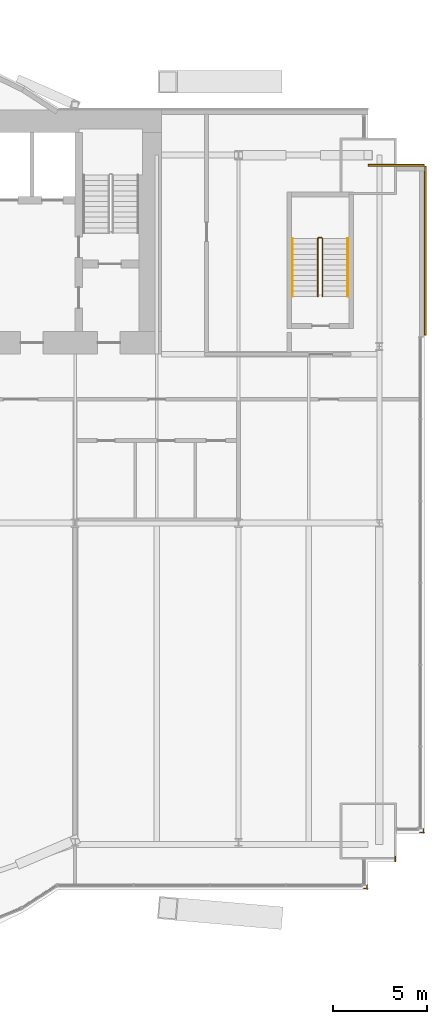
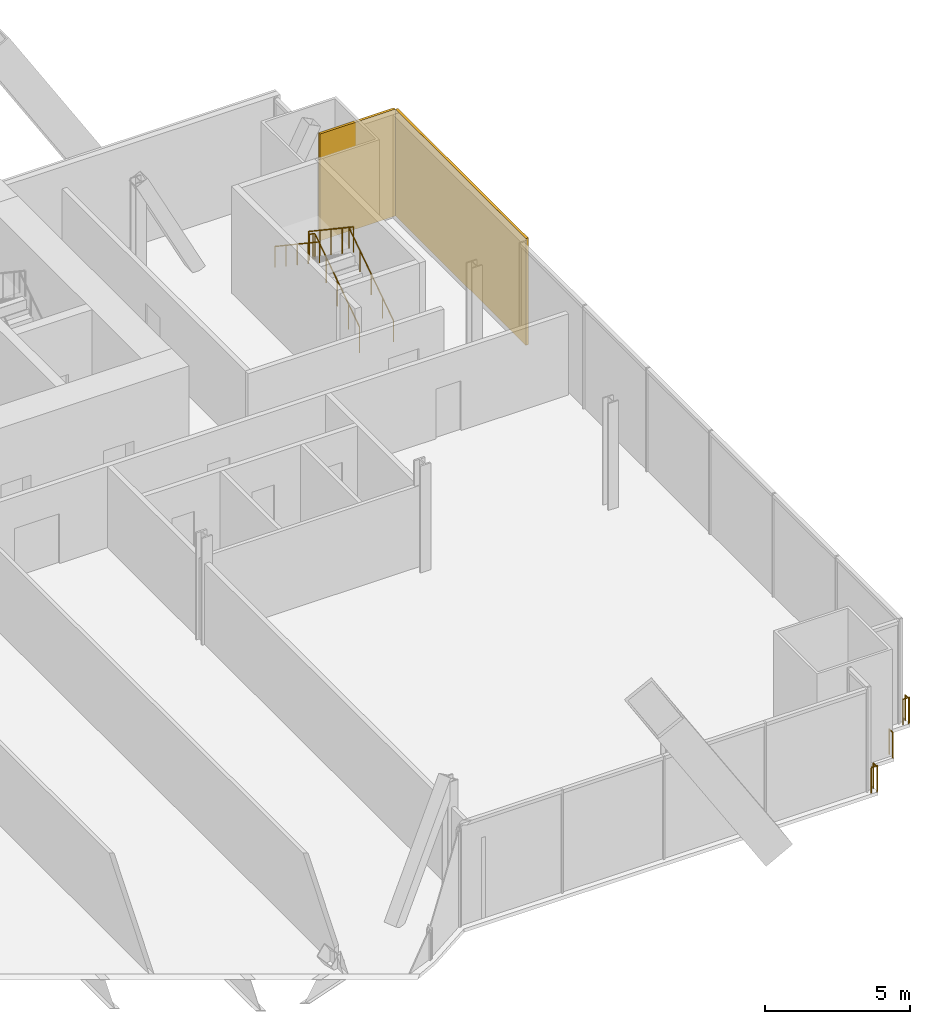
# One storey, part 22 of 23: 6 railings, 2 coverings.
"""IFC4 building model written with IfcOpenShell, lengths in metres."""

from ifc_helpers import new_model, si_unit, direction, frame, origin, origin_2d, place, context, subcontext, project, spatial, rectangle, circle, extrude, material, layer, layer_set, type_object, element, save


model = new_model("IFC4")

# Units and contexts
model_context = context("Model", 3, precision=1e-05, world=origin(), true_north=direction((0.0, 1.0)))
body_context = subcontext(model_context, "Body", "Model", "MODEL_VIEW")
ifc_project = project(units=[si_unit("LENGTHUNIT", "METRE"), si_unit("AREAUNIT", "SQUARE_METRE"), si_unit("VOLUMEUNIT", "CUBIC_METRE"), si_unit("PLANEANGLEUNIT", "RADIAN"), si_unit("MASSUNIT", "GRAM", prefix="KILO")], contexts=[model_context])

# Site, building, storey
site_placement = place(None, origin())
site = spatial("IfcSite", under=ifc_project, at=site_placement, CompositionType="ELEMENT")
building_placement = place(site_placement, origin())
building = spatial("IfcBuilding", under=site, at=building_placement, Name="Bicima Exchange Tower", CompositionType="ELEMENT")
storey_placement = place(building_placement, frame((0.0, 0.0, 44.0)))
storey = spatial("IfcBuildingStorey", under=building, at=storey_placement, Name="L08", CompositionType="ELEMENT", Elevation=44.0)

# Coverings
ifc_material_1 = material(Name="Bronze metal cladding")
ifc_layer_1 = layer(ifc_material_1, 0.004)
ifc_material_2 = material(Name="Ventilated cavity")
ifc_layer_2 = layer(ifc_material_2, 0.06)
ifc_material_3 = material(Name="Galvanised steel rail and mineral wool", Category="steel")
ifc_layer_3 = layer(ifc_material_3, 0.036)
ifc_layer_set = layer_set([ifc_layer_1, ifc_layer_2, ifc_layer_3], Name="Ventilated cavity")
covering_type = type_object("IfcCoveringType", Name="Bronze metal cladding panel 100", PredefinedType="CLADDING", material=ifc_layer_set)
covering_1_placement = place(storey_placement, frame((36.050048828125, -7.5, -0.14990234375), z_axis=(0.0, 0.0, 1.0), x_axis=(0.0, 1.0, 0.0)))
element("IfcCovering", 1, at=covering_1_placement, inside=storey, type_object=covering_type, Name="Bronze cladding L08 50.1", PredefinedType="CLADDING", context=body_context, shape_type="SweptSolid", body=[
    extrude(rectangle(XDim=9.0, YDim=0.10009765625, at=origin_2d()), origin(), (0.0, 0.0, 1.0), 4.5),
])
covering_2_placement = place(storey_placement, frame((34.5, -2.949951171875, -0.14990234375), z_axis=(0.0, 0.0, 1.0), x_axis=(-1.0, 0.0, 0.0)))
element("IfcCovering", 2, at=covering_2_placement, inside=storey, type_object=covering_type, Name="Bronze cladding L08 51.1", PredefinedType="CLADDING", context=body_context, shape_type="SweptSolid", body=[
    extrude(rectangle(XDim=3.0, YDim=0.10009765625, at=origin_2d()), origin(), (0.0, 0.0, 1.0), 4.5),
])

# Railings
ifc_material_4 = material(Name="Stainless steel and bonded safety glass", Category="steel")
railing_type_1 = type_object("IfcRailingType", Name="Edge guard 1100", PredefinedType="GUARDRAIL", material=ifc_material_4)
railing_1_placement = place(storey_placement, frame((35.949951171875, -38.263916015625, 0.0)))
element("IfcRailing", 3, at=railing_1_placement, inside=storey, type_object=railing_type_1, Name="Edge guard L08 28", PredefinedType="GUARDRAIL", context=body_context, shape_type="SweptSolid", body=[
    extrude(circle(Radius=0.02392578125, at=origin_2d()), frame((0.0, 0.0, 1.076171875), z_axis=(0.0, -1.0, 0.0), x_axis=(1.0, 0.0, 0.0)), (0.0, 0.0, 1.0), 0.248046875),
    extrude(circle(Radius=0.02392578125, at=origin_2d()), frame((0.0, -0.248046875, 1.076171875), z_axis=(0.707106781187, 0.707106781187, 0.0), x_axis=(-0.707106781187, 0.707106781187, 0.0)), (0.0, 0.0, 1.0), 0.07080078125),
    extrude(circle(Radius=0.02392578125, at=origin_2d()), frame((0.050048828125, -0.197998046875, 1.076171875), z_axis=(-1.0, 0.0, 0.0), x_axis=(0.0, -1.0, 0.0)), (0.0, 0.0, 1.0), 0.25),
    extrude(circle(Radius=0.02099609375, at=origin_2d()), origin(), (0.0, 0.0, 1.0), 1.052001953125),
    extrude(circle(Radius=0.02099609375, at=origin_2d()), frame((0.0, -0.248046875, 0.0)), (0.0, 0.0, 1.0), 1.052001953125),
    extrude(circle(Radius=0.02099609375, at=origin_2d()), frame((0.050048828125, -0.197998046875, 0.0)), (0.0, 0.0, 1.0), 1.052001953125),
    extrude(circle(Radius=0.02099609375, at=origin_2d()), frame((-0.199951171875, -0.197998046875, 0.0)), (0.0, 0.0, 1.0), 1.052001953125),
])
railing_2_placement = place(storey_placement, frame((34.449951171875, -39.761962890625, 0.0)))
element("IfcRailing", 4, at=railing_2_placement, inside=storey, type_object=railing_type_1, Name="Edge guard L08 29", PredefinedType="GUARDRAIL", context=body_context, shape_type="SweptSolid", body=[
    extrude(circle(Radius=0.02392578125, at=origin_2d()), frame((0.0, 0.0, 1.076171875), z_axis=(0.0, -1.0, 0.0), x_axis=(1.0, 0.0, 0.0)), (0.0, 0.0, 1.0), 0.25),
    extrude(circle(Radius=0.02099609375, at=origin_2d()), origin(), (0.0, 0.0, 1.0), 1.052001953125),
    extrude(circle(Radius=0.02099609375, at=origin_2d()), frame((0.0, -0.25, 0.0)), (0.0, 0.0, 1.0), 1.052001953125),
])
railing_3_placement = place(storey_placement, frame((32.949951171875, -41.261962890625, 0.0)))
element("IfcRailing", 5, at=railing_3_placement, inside=storey, type_object=railing_type_1, Name="Edge guard L08 30", PredefinedType="GUARDRAIL", context=body_context, shape_type="SweptSolid", body=[
    extrude(circle(Radius=0.02392578125, at=origin_2d()), frame((0.0, 0.0, 1.076171875), z_axis=(0.0, -1.0, 0.0), x_axis=(1.0, 0.0, 0.0)), (0.0, 0.0, 1.0), 0.25),
    extrude(circle(Radius=0.02392578125, at=origin_2d()), frame((0.0, -0.25, 1.076171875), z_axis=(0.707106781187, 0.707106781187, 0.0), x_axis=(-0.707106781187, 0.707106781187, 0.0)), (0.0, 0.0, 1.0), 0.07080078125),
    extrude(circle(Radius=0.02392578125, at=origin_2d()), frame((0.050048828125, -0.199951171875, 1.076171875), z_axis=(-1.0, 0.0, 0.0), x_axis=(0.0, -1.0, 0.0)), (0.0, 0.0, 1.0), 0.25),
    extrude(circle(Radius=0.02099609375, at=origin_2d()), origin(), (0.0, 0.0, 1.0), 1.052001953125),
    extrude(circle(Radius=0.02099609375, at=origin_2d()), frame((0.0, -0.25, 0.0)), (0.0, 0.0, 1.0), 1.052001953125),
    extrude(circle(Radius=0.02099609375, at=origin_2d()), frame((0.050048828125, -0.199951171875, 0.0)), (0.0, 0.0, 1.0), 1.052001953125),
    extrude(circle(Radius=0.02099609375, at=origin_2d()), frame((-0.199951171875, -0.199951171875, 0.0)), (0.0, 0.0, 1.0), 1.052001953125),
])
ifc_material_5 = material(Name="Stainless steel", Category="steel")
railing_type_2 = type_object("IfcRailingType", Name="Stair guard 1100", PredefinedType="GUARDRAIL", material=ifc_material_5)
railing_4_placement = place(storey_placement, frame((30.574951171875, -9.925048828125, 0.1875)))
element("IfcRailing", 6, at=railing_4_placement, inside=storey, type_object=railing_type_2, Name="L08 ST-EE stair guard 1", PredefinedType="GUARDRAIL", context=body_context, shape_type="SweptSolid", body=[
    extrude(circle(Radius=0.02392578125, at=origin_2d()), frame((0.0, 0.0, 1.076171875), z_axis=(0.0, 0.830913701846, 0.55640131208), x_axis=(-1.0, 0.0, 0.0)), (0.0, 0.0, 1.0), 3.706787109375),
    extrude(circle(Radius=0.02392578125, at=origin_2d()), frame((0.0, 3.080078125, 3.138671875), z_axis=(-0.707106781187, 0.707106781187, 0.0), x_axis=(-0.707106781187, -0.707106781187, 0.0)), (0.0, 0.0, 1.0), 0.07080078125),
    extrude(circle(Radius=0.02392578125, at=origin_2d()), frame((-0.050048828125, 3.130126953125, 3.138671875), z_axis=(-1.0, 0.0, 0.0), x_axis=(0.0, -1.0, 0.0)), (0.0, 0.0, 1.0), 0.14990234375),
    extrude(circle(Radius=0.02392578125, at=origin_2d()), frame((-0.199951171875, 3.130126953125, 3.138671875), z_axis=(-0.249726431254, -0.249726431254, 0.935560483917), x_axis=(0.707106781187, -0.707106781187, 0.0)), (0.0, 0.0, 1.0), 0.200439453125),
    extrude(circle(Radius=0.02392578125, at=origin_2d()), frame((-0.25, 3.080078125, 3.326171875), z_axis=(0.0, -0.830913701846, 0.55640131208), x_axis=(1.0, 0.0, 0.0)), (0.0, 0.0, 1.0), 3.706787109375),
    extrude(circle(Radius=0.02099609375, at=origin_2d()), origin(), (0.0, 0.0, 1.0), 1.052001953125),
    extrude(circle(Radius=0.02099609375, at=origin_2d()), frame((0.0, 0.77001953125, 0.515625)), (0.0, 0.0, 1.0), 1.052001953125),
    extrude(circle(Radius=0.02099609375, at=origin_2d()), frame((0.0, 1.5400390625, 1.03125)), (0.0, 0.0, 1.0), 1.052001953125),
    extrude(circle(Radius=0.02099609375, at=origin_2d()), frame((0.0, 2.31005859375, 1.546875)), (0.0, 0.0, 1.0), 1.052001953125),
    extrude(circle(Radius=0.02099609375, at=origin_2d()), frame((0.0, 3.080078125, 2.0625)), (0.0, 0.0, 1.0), 1.052001953125),
    extrude(circle(Radius=0.02099609375, at=origin_2d()), frame((-0.050048828125, 3.130126953125, 2.0625)), (0.0, 0.0, 1.0), 1.052001953125),
    extrude(circle(Radius=0.02099609375, at=origin_2d()), frame((-0.199951171875, 3.130126953125, 2.0625)), (0.0, 0.0, 1.0), 1.052001953125),
    extrude(circle(Radius=0.02099609375, at=origin_2d()), frame((-0.25, 3.080078125, 2.25)), (0.0, 0.0, 1.0), 1.052001953125),
    extrude(circle(Radius=0.02099609375, at=origin_2d()), frame((-0.25, 2.31005859375, 2.765625)), (0.0, 0.0, 1.0), 1.052001953125),
    extrude(circle(Radius=0.02099609375, at=origin_2d()), frame((-0.25, 1.5400390625, 3.28125)), (0.0, 0.0, 1.0), 1.052001953125),
    extrude(circle(Radius=0.02099609375, at=origin_2d()), frame((-0.25, 0.77001953125, 3.796875)), (0.0, 0.0, 1.0), 1.052001953125),
    extrude(circle(Radius=0.02099609375, at=origin_2d()), frame((-0.25, 0.0, 4.3125)), (0.0, 0.0, 1.0), 1.052001953125),
])
railing_type_3 = type_object("IfcRailingType", Name="Stair handrail 900", PredefinedType="HANDRAIL", material=ifc_material_5)
railing_5_placement = place(storey_placement, frame((31.925048828125, -9.925048828125, 0.1875)))
element("IfcRailing", 7, at=railing_5_placement, inside=storey, type_object=railing_type_3, Name="L08 ST-EE stair handrail 1", PredefinedType="HANDRAIL", context=body_context, shape_type="SweptSolid", body=[
    extrude(circle(Radius=0.02392578125, at=origin_2d()), frame((0.0, 0.0, 0.8759765625), z_axis=(0.0, 0.830913701846, 0.55640131208), x_axis=(-1.0, 0.0, 0.0)), (0.0, 0.0, 1.0), 3.706787109375),
    extrude(circle(Radius=0.02099609375, at=origin_2d()), origin(), (0.0, 0.0, 1.0), 0.851806640625),
    extrude(circle(Radius=0.02099609375, at=origin_2d()), frame((0.0, 0.77001953125, 0.515625)), (0.0, 0.0, 1.0), 0.851806640625),
    extrude(circle(Radius=0.02099609375, at=origin_2d()), frame((0.0, 1.5400390625, 1.03125)), (0.0, 0.0, 1.0), 0.851806640625),
    extrude(circle(Radius=0.02099609375, at=origin_2d()), frame((0.0, 2.31005859375, 1.546875)), (0.0, 0.0, 1.0), 0.851806640625),
    extrude(circle(Radius=0.02099609375, at=origin_2d()), frame((0.0, 3.080078125, 2.0625)), (0.0, 0.0, 1.0), 0.851806640625),
])
railing_6_placement = place(storey_placement, frame((28.97509765625, -6.844970703125, 2.47900390625)))
element("IfcRailing", 8, at=railing_6_placement, inside=storey, type_object=railing_type_3, Name="L08 ST-EE stair handrail 2", PredefinedType="HANDRAIL", context=body_context, shape_type="SweptSolid", body=[
    extrude(circle(Radius=0.02392578125, at=origin_2d()), frame((0.0, 0.0, 0.8759765625), z_axis=(0.0, -0.830913701846, 0.55640131208), x_axis=(1.0, 0.0, 0.0)), (0.0, 0.0, 1.0), 3.706787109375),
    extrude(circle(Radius=0.02099609375, at=origin_2d()), origin(), (0.0, 0.0, 1.0), 0.851806640625),
    extrude(circle(Radius=0.02099609375, at=origin_2d()), frame((0.0, -0.77001953125, 0.515625)), (0.0, 0.0, 1.0), 0.851806640625),
    extrude(circle(Radius=0.02099609375, at=origin_2d()), frame((0.0, -1.5400390625, 1.03125)), (0.0, 0.0, 1.0), 0.851806640625),
    extrude(circle(Radius=0.02099609375, at=origin_2d()), frame((0.0, -2.31005859375, 1.546875)), (0.0, 0.0, 1.0), 0.851806640625),
    extrude(circle(Radius=0.02099609375, at=origin_2d()), frame((0.0, -3.080078125, 2.0625)), (0.0, 0.0, 1.0), 0.851806640625),
])

save(model, "model.ifc")
